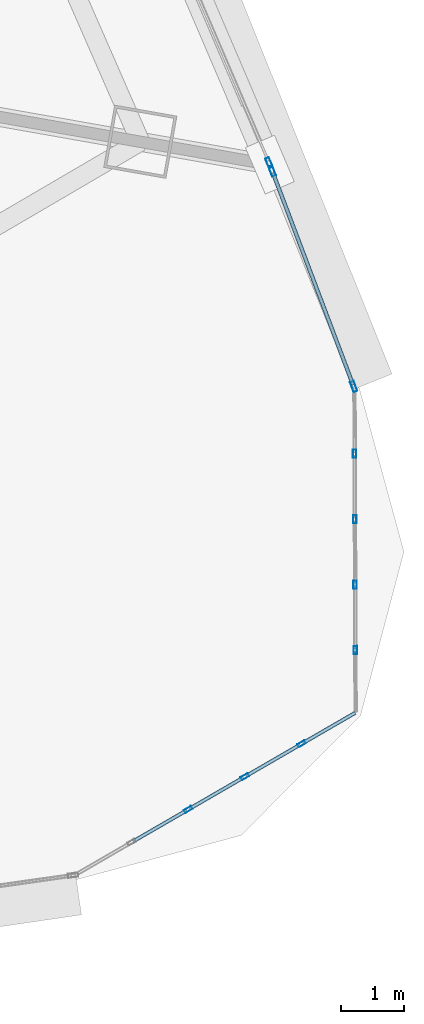
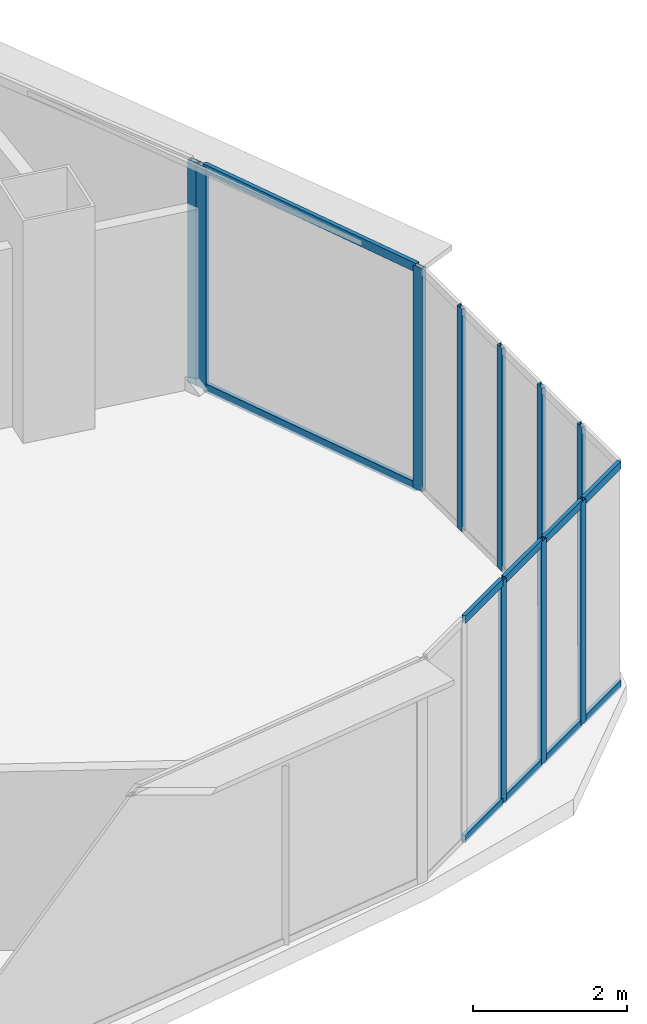
# One storey, part 22 of 39: 20 members, 4 elements without a shape of their own.
"""IFC4 building model written with IfcOpenShell, lengths in metres."""

from ifc_helpers import new_model, si_unit, direction, frame, origin, origin_2d, place, context, subcontext, project, spatial, hollow_rectangle, extrude, source, transform, mapped, material, layer, layer_set, material_profile, profile_set, type_object, element, aggregate, save


model = new_model("IFC4")

# Units and contexts
model_context = context("Model", 3, precision=1e-05, world=origin(), true_north=direction((0.0, 1.0)))
body_context = subcontext(model_context, "Body", "Model", "MODEL_VIEW")
ifc_project = project(units=[si_unit("LENGTHUNIT", "METRE"), si_unit("AREAUNIT", "SQUARE_METRE"), si_unit("VOLUMEUNIT", "CUBIC_METRE"), si_unit("PLANEANGLEUNIT", "RADIAN"), si_unit("MASSUNIT", "GRAM", prefix="KILO"), si_unit("THERMODYNAMICTEMPERATUREUNIT", "KELVIN"), si_unit("POWERUNIT", "WATT")], contexts=[model_context])

# Site, building, storey
site_placement = place(None, origin())
site = spatial("IfcSite", under=ifc_project, at=site_placement, CompositionType="ELEMENT")
building_placement = place(site_placement, origin())
building = spatial("IfcBuilding", under=site, at=building_placement, Name="Yunzhuo Pagoda Commons", CompositionType="ELEMENT")
storey_placement = place(building_placement, frame((0.0, 0.0, 96.3798828125)))
storey = spatial("IfcBuildingStorey", under=building, at=storey_placement, Name="L24", CompositionType="ELEMENT", Elevation=96.3798828125)

# Curtain wall, member
ifc_material = material(Name="Anodized aluminium 6063-T6", Category="aluminium")
ifc_layer_1 = layer(ifc_material, 0.1650390625)
ifc_layer_set_1 = layer_set([ifc_layer_1], Name="Anodized aluminium 6063-T6")
curtain_wall_type_1 = type_object("IfcCurtainWallType", Name="CW-LOW Low-Zone Ribbon Curtain Wall", PredefinedType="NOTDEFINED", material=ifc_layer_set_1)
curtain_wall_1_placement = place(storey_placement, origin())
curtain_wall_1 = element("IfcCurtainWall", 1, at=curtain_wall_1_placement, inside=storey, type_object=curtain_wall_type_1, Name="L24 curtain wall CW-L24-F2B2", PredefinedType="NOTDEFINED")
ifc_material_profile_1 = material_profile(ifc_material, hollow_rectangle(XDim=0.06494140625, YDim=0.1650390625, WallThickness=0.00390625, at=origin_2d()), Name="Anodized aluminium 6063-T6")
ifc_profile_set_1 = profile_set([ifc_material_profile_1], Name="Anodized aluminium 6063-T6")
member_type_1 = type_object("IfcMemberType", Name="CW-LOW-M Mullion RHS 165x65x4", PredefinedType="MULLION", material=ifc_profile_set_1)
shared_shape_1 = source(origin(), body_context, "Body", "SweptSolid", [
    extrude(hollow_rectangle(XDim=0.06494140625, YDim=0.1650390625, WallThickness=0.00390625, at=origin_2d()), origin(), (0.0, 0.0, 1.0), 3.5400390625),
])
member_1_placement = place(storey_placement, frame((88.39111328125, 26.60546875, 0.0), z_axis=(0.0, 0.0, 1.0), x_axis=(-0.919382894415, -0.393363818185, 0.0)))
member_1 = element("IfcMember", 2, at=member_1_placement, type_object=member_type_1, Name="CW mullion 1", PredefinedType="MULLION", context=body_context, shape_type="MappedRepresentation", body=[
    mapped(shared_shape_1, transform((0.0, 0.0, 0.0), scale=1.0)),
])
aggregate(curtain_wall_1, [member_1])

# Curtain wall, members
curtain_wall_2_placement = place(storey_placement, origin())
curtain_wall_2 = element("IfcCurtainWall", 3, at=curtain_wall_2_placement, inside=storey, type_object=curtain_wall_type_1, Name="L24 curtain wall CW-L24-F2B1", PredefinedType="NOTDEFINED")
member_2_placement = place(storey_placement, frame((89.731201171875, 23.062744140625, 0.0), z_axis=(0.0, 0.0, 1.0), x_axis=(-0.935454086355, -0.353448231461, 0.0)))
member_2 = element("IfcMember", 4, at=member_2_placement, type_object=member_type_1, Name="CW mullion 1", PredefinedType="MULLION", context=body_context, shape_type="MappedRepresentation", body=[
    mapped(shared_shape_1, transform((0.0, 0.0, 0.0), scale=1.0)),
])
member_3_placement = place(storey_placement, frame((88.442138671875, 26.47509765625, 0.0), z_axis=(0.0, 0.0, 1.0), x_axis=(-0.935454086355, -0.353448231461, 0.0)))
member_3 = element("IfcMember", 5, at=member_3_placement, type_object=member_type_1, Name="CW mullion 2", PredefinedType="MULLION", context=body_context, shape_type="MappedRepresentation", body=[
    mapped(shared_shape_1, transform((0.0, 0.0, 0.0), scale=1.0)),
])
ifc_material_profile_2 = material_profile(ifc_material, hollow_rectangle(XDim=0.06005859375, YDim=0.139892578125, WallThickness=0.00341796875, at=origin_2d()), Name="Anodized aluminium 6063-T6")
ifc_profile_set_2 = profile_set([ifc_material_profile_2], Name="Anodized aluminium 6063-T6")
member_type_2 = type_object("IfcMemberType", Name="CW-LOW-T Transom RHS 140x60x3.5", PredefinedType="USERDEFINED", material=ifc_profile_set_2)
shared_shape_2 = source(origin(), body_context, "Body", "SweptSolid", [
    extrude(hollow_rectangle(XDim=0.06005859375, YDim=0.139892578125, WallThickness=0.00341796875, at=origin_2d()), origin(), (0.0, 0.0, 1.0), 3.582763671875),
])
member_4_placement = place(storey_placement, frame((89.7197265625, 23.093017578125, 0.030029296875), z_axis=(-0.353452248865, 0.935452568425, 0.0), x_axis=(-0.935452568425, -0.353452248865, 0.0)))
member_4 = element("IfcMember", 6, at=member_4_placement, type_object=member_type_2, Name="CW transom 1.1", ObjectType="TRANSOM", PredefinedType="USERDEFINED", context=body_context, shape_type="MappedRepresentation", body=[
    mapped(shared_shape_2, transform((0.0, 0.0, 0.0), scale=1.0)),
])
member_5_placement = place(storey_placement, frame((89.7197265625, 23.093017578125, 3.510009765625), z_axis=(-0.353452248865, 0.935452568425, 0.0), x_axis=(-0.935452568425, -0.353452248865, 0.0)))
member_5 = element("IfcMember", 7, at=member_5_placement, type_object=member_type_2, Name="CW transom 1.2", ObjectType="TRANSOM", PredefinedType="USERDEFINED", context=body_context, shape_type="MappedRepresentation", body=[
    mapped(shared_shape_2, transform((0.0, 0.0, 0.0), scale=1.0)),
])
aggregate(curtain_wall_2, [member_2, member_3, member_4, member_5])

ifc_layer_2 = layer(ifc_material, 0.1298828125)
ifc_layer_set_2 = layer_set([ifc_layer_2], Name="Anodized aluminium 6063-T6")
curtain_wall_type_2 = type_object("IfcCurtainWallType", Name="CW-VTX Rounded Corner Curtain Wall", PredefinedType="NOTDEFINED", material=ifc_layer_set_2)
curtain_wall_3_placement = place(storey_placement, origin())
curtain_wall_3 = element("IfcCurtainWall", 8, at=curtain_wall_3_placement, inside=storey, type_object=curtain_wall_type_2, Name="L24 curtain wall CW-L24-VTX2S1", PredefinedType="NOTDEFINED")
ifc_material_profile_3 = material_profile(ifc_material, hollow_rectangle(XDim=0.054931640625, YDim=0.1298828125, WallThickness=0.00341796875, at=origin_2d()), Name="Anodized aluminium 6063-T6")
ifc_profile_set_3 = profile_set([ifc_material_profile_3], Name="Anodized aluminium 6063-T6")
member_type_3 = type_object("IfcMemberType", Name="CW-VTX-M Mullion RHS 130x55x3.5", PredefinedType="MULLION", material=ifc_profile_set_3)
shared_shape_3 = source(origin(), body_context, "Body", "SweptSolid", [
    extrude(hollow_rectangle(XDim=0.054931640625, YDim=0.1298828125, WallThickness=0.00341796875, at=origin_2d()), origin(), (0.0, 0.0, 1.0), 3.5400390625),
])
member_6_placement = place(storey_placement, frame((87.112548828125, 16.36767578125, 0.0), z_axis=(0.0, 0.0, 1.0), x_axis=(-0.501035509214, 0.865426726249, 0.0)))
member_6 = element("IfcMember", 9, at=member_6_placement, type_object=member_type_3, Name="CW mullion 3", PredefinedType="MULLION", context=body_context, shape_type="MappedRepresentation", body=[
    mapped(shared_shape_3, transform((0.0, 0.0, 0.0), scale=1.0)),
])
member_7_placement = place(storey_placement, frame((88.0087890625, 16.886474609375, 0.0), z_axis=(0.0, 0.0, 1.0), x_axis=(-0.501035509214, 0.865426726249, 0.0)))
member_7 = element("IfcMember", 10, at=member_7_placement, type_object=member_type_3, Name="CW mullion 4", PredefinedType="MULLION", context=body_context, shape_type="MappedRepresentation", body=[
    mapped(shared_shape_3, transform((0.0, 0.0, 0.0), scale=1.0)),
])
member_8_placement = place(storey_placement, frame((88.905029296875, 17.4052734375, 0.0), z_axis=(0.0, 0.0, 1.0), x_axis=(-0.501035509214, 0.865426726249, 0.0)))
member_8 = element("IfcMember", 11, at=member_8_placement, type_object=member_type_3, Name="CW mullion 5", PredefinedType="MULLION", context=body_context, shape_type="MappedRepresentation", body=[
    mapped(shared_shape_3, transform((0.0, 0.0, 0.0), scale=1.0)),
])

curtain_wall_4_placement = place(storey_placement, origin())
curtain_wall_4 = element("IfcCurtainWall", 12, at=curtain_wall_4_placement, inside=storey, type_object=curtain_wall_type_2, Name="L24 curtain wall CW-L24-VTX2S2", PredefinedType="NOTDEFINED")
member_9_placement = place(storey_placement, frame((89.757568359375, 18.89013671875, 0.0), z_axis=(0.0, 0.0, 1.0), x_axis=(-0.999993616843, -0.003572992237, 0.0)))
member_9 = element("IfcMember", 13, at=member_9_placement, type_object=member_type_3, Name="CW mullion 2", PredefinedType="MULLION", context=body_context, shape_type="MappedRepresentation", body=[
    mapped(shared_shape_3, transform((0.0, 0.0, 0.0), scale=1.0)),
])
member_10_placement = place(storey_placement, frame((89.75390625, 19.92578125, 0.0), z_axis=(0.0, 0.0, 1.0), x_axis=(-0.999993616843, -0.003572992237, 0.0)))
member_10 = element("IfcMember", 14, at=member_10_placement, type_object=member_type_3, Name="CW mullion 3", PredefinedType="MULLION", context=body_context, shape_type="MappedRepresentation", body=[
    mapped(shared_shape_3, transform((0.0, 0.0, 0.0), scale=1.0)),
])
member_11_placement = place(storey_placement, frame((89.75, 20.961181640625, 0.0), z_axis=(0.0, 0.0, 1.0), x_axis=(-0.999993616843, -0.003572992237, 0.0)))
member_11 = element("IfcMember", 15, at=member_11_placement, type_object=member_type_3, Name="CW mullion 4", PredefinedType="MULLION", context=body_context, shape_type="MappedRepresentation", body=[
    mapped(shared_shape_3, transform((0.0, 0.0, 0.0), scale=1.0)),
])
member_12_placement = place(storey_placement, frame((89.746337890625, 21.996826171875, 0.0), z_axis=(0.0, 0.0, 1.0), x_axis=(-0.999993616843, -0.003572992237, 0.0)))
member_12 = element("IfcMember", 16, at=member_12_placement, type_object=member_type_3, Name="CW mullion 5", PredefinedType="MULLION", context=body_context, shape_type="MappedRepresentation", body=[
    mapped(shared_shape_3, transform((0.0, 0.0, 0.0), scale=1.0)),
])
aggregate(curtain_wall_4, [member_9, member_10, member_11, member_12])

# Member
ifc_material_profile_4 = material_profile(ifc_material, hollow_rectangle(XDim=0.054931640625, YDim=0.1201171875, WallThickness=0.00341796875, at=origin_2d()), Name="Anodized aluminium 6063-T6")
ifc_profile_set_4 = profile_set([ifc_material_profile_4], Name="Anodized aluminium 6063-T6")
member_type_4 = type_object("IfcMemberType", Name="CW-VTX-T Transom RHS 120x55x3.5", PredefinedType="USERDEFINED", material=ifc_profile_set_4)
shared_shape_4 = source(origin(), body_context, "Body", "SweptSolid", [
    extrude(hollow_rectangle(XDim=0.054931640625, YDim=0.1201171875, WallThickness=0.00341796875, at=origin_2d()), origin(), (0.0, 0.0, 1.0), 0.980224609375),
])
member_13_placement = place(storey_placement, frame((87.136474609375, 16.38134765625, 0.027587890625), z_axis=(0.865409234617, 0.501065720878, 0.0), x_axis=(-0.501065720878, 0.865409234617, 0.0)))
member_13 = element("IfcMember", 17, at=member_13_placement, type_object=member_type_4, Name="CW transom 3.1", ObjectType="TRANSOM", PredefinedType="USERDEFINED", context=body_context, shape_type="MappedRepresentation", body=[
    mapped(shared_shape_4, transform((0.0, 0.0, 0.0), scale=1.0)),
])

member_14_placement = place(storey_placement, frame((87.136474609375, 16.38134765625, 3.5126953125), z_axis=(0.865409234617, 0.501065720878, 0.0), x_axis=(-0.501065720878, 0.865409234617, 0.0)))
member_14 = element("IfcMember", 18, at=member_14_placement, type_object=member_type_4, Name="CW transom 3.2", ObjectType="TRANSOM", PredefinedType="USERDEFINED", context=body_context, shape_type="MappedRepresentation", body=[
    mapped(shared_shape_4, transform((0.0, 0.0, 0.0), scale=1.0)),
])

shared_shape_5 = source(origin(), body_context, "Body", "SweptSolid", [
    extrude(hollow_rectangle(XDim=0.054931640625, YDim=0.1201171875, WallThickness=0.00341796875, at=origin_2d()), origin(), (0.0, 0.0, 1.0), 0.980712890625),
])
member_15_placement = place(storey_placement, frame((88.032470703125, 16.900390625, 0.027587890625), z_axis=(0.865534204498, 0.500849818651, 0.0), x_axis=(-0.500849818651, 0.865534204498, 0.0)))
member_15 = element("IfcMember", 19, at=member_15_placement, type_object=member_type_4, Name="CW transom 4.1", ObjectType="TRANSOM", PredefinedType="USERDEFINED", context=body_context, shape_type="MappedRepresentation", body=[
    mapped(shared_shape_5, transform((0.0, 0.0, 0.0), scale=1.0)),
])

member_16_placement = place(storey_placement, frame((88.032470703125, 16.900390625, 3.5126953125), z_axis=(0.865534204498, 0.500849818651, 0.0), x_axis=(-0.500849818651, 0.865534204498, 0.0)))
member_16 = element("IfcMember", 20, at=member_16_placement, type_object=member_type_4, Name="CW transom 4.2", ObjectType="TRANSOM", PredefinedType="USERDEFINED", context=body_context, shape_type="MappedRepresentation", body=[
    mapped(shared_shape_5, transform((0.0, 0.0, 0.0), scale=1.0)),
])

shared_shape_6 = source(origin(), body_context, "Body", "SweptSolid", [
    extrude(hollow_rectangle(XDim=0.054931640625, YDim=0.1201171875, WallThickness=0.00341796875, at=origin_2d()), origin(), (0.0, 0.0, 1.0), 0.98046875),
])
member_17_placement = place(storey_placement, frame((86.240234375, 15.862548828125, 0.027587890625), z_axis=(0.865471739755, 0.500957750399, 0.0), x_axis=(-0.500957750399, 0.865471739755, 0.0)))
member_17 = element("IfcMember", 21, at=member_17_placement, type_object=member_type_4, Name="CW transom 2.1", ObjectType="TRANSOM", PredefinedType="USERDEFINED", context=body_context, shape_type="MappedRepresentation", body=[
    mapped(shared_shape_6, transform((0.0, 0.0, 0.0), scale=1.0)),
])

member_18_placement = place(storey_placement, frame((86.240234375, 15.862548828125, 3.5126953125), z_axis=(0.865471739755, 0.500957750399, 0.0), x_axis=(-0.500957750399, 0.865471739755, 0.0)))
member_18 = element("IfcMember", 22, at=member_18_placement, type_object=member_type_4, Name="CW transom 2.2", ObjectType="TRANSOM", PredefinedType="USERDEFINED", context=body_context, shape_type="MappedRepresentation", body=[
    mapped(shared_shape_6, transform((0.0, 0.0, 0.0), scale=1.0)),
])

shared_shape_7 = source(origin(), body_context, "Body", "SweptSolid", [
    extrude(hollow_rectangle(XDim=0.054931640625, YDim=0.1201171875, WallThickness=0.00341796875, at=origin_2d()), origin(), (0.0, 0.0, 1.0), 0.952880859375),
])
member_19_placement = place(storey_placement, frame((88.9287109375, 17.4189453125, 0.027587890625), z_axis=(0.865391204156, 0.501096860666, 0.0), x_axis=(-0.501096860666, 0.865391204156, 0.0)))
member_19 = element("IfcMember", 23, at=member_19_placement, type_object=member_type_4, Name="CW transom 5.1", ObjectType="TRANSOM", PredefinedType="USERDEFINED", context=body_context, shape_type="MappedRepresentation", body=[
    mapped(shared_shape_7, transform((0.0, 0.0, 0.0), scale=1.0)),
])

member_20_placement = place(storey_placement, frame((88.9287109375, 17.4189453125, 3.5126953125), z_axis=(0.865391204156, 0.501096860666, 0.0), x_axis=(-0.501096860666, 0.865391204156, 0.0)))
member_20 = element("IfcMember", 24, at=member_20_placement, type_object=member_type_4, Name="CW transom 5.2", ObjectType="TRANSOM", PredefinedType="USERDEFINED", context=body_context, shape_type="MappedRepresentation", body=[
    mapped(shared_shape_7, transform((0.0, 0.0, 0.0), scale=1.0)),
])

aggregate(curtain_wall_3, [member_6, member_7, member_8, member_17, member_18, member_13, member_14, member_15, member_16, member_19, member_20])

save(model, "model.ifc")
